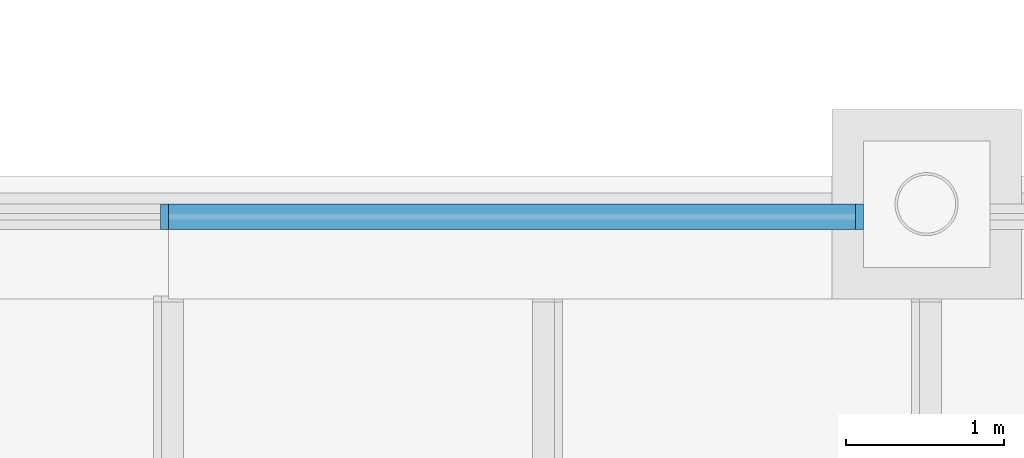
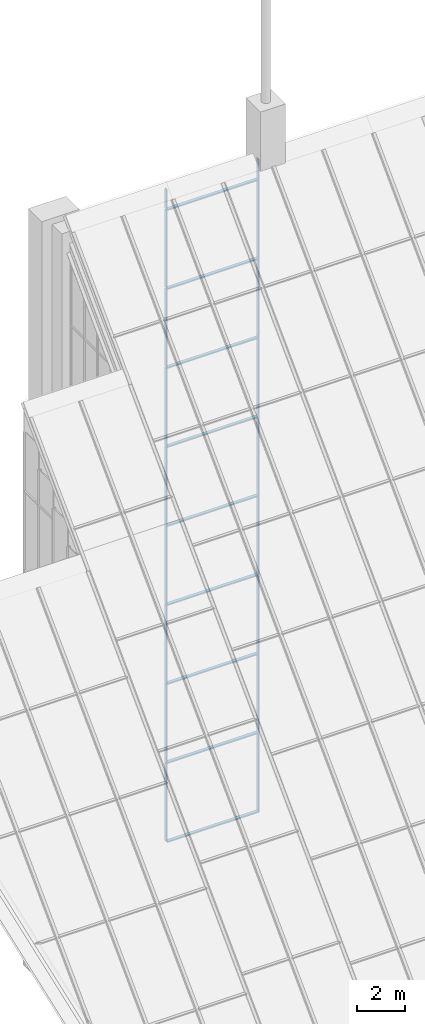
# One storey, part 10 of 25: 27 members, 18 elements without a shape of their own.
"""IFC4 building model written with IfcOpenShell, lengths in metres."""

import ifcopenshell
import ifcopenshell.guid

model = None  # the IFC model being written
_history = None  # IfcOwnerHistory: only IFC2X3 demands one
_inside = {}  # id of a spatial element -> (the spatial element, [elements in it])
_under = {}  # id of a project, library or spatial element -> (it, [spatial elements below it])
_declared = {}  # id of a project -> (the project, [libraries it declares])
_typed = {}  # id of a type object -> (the type object, [elements of that type])
_made_of = {}  # id of a material, layer set ... -> (it, [elements and type objects made of it])


def new_model(schema):
    """Start an empty IFC model of exactly this schema.

    Asked for "IFC4X3", IfcOpenShell would pick the latest addendum, in which some entities
    have other attributes; the version numbers below select the first issue.
    IFC2X3 requires an IfcOwnerHistory on every rooted entity: one is made here for all.
    """
    global model, _history
    if schema == "IFC4X3":
        model = ifcopenshell.file(schema_version=(4, 3, 0, 0))
    else:
        model = ifcopenshell.file(schema=schema)
    _inside.clear()
    _under.clear()
    _declared.clear()
    _typed.clear()
    _made_of.clear()
    _history = None
    if model.schema == "IFC2X3":
        org = make("IfcOrganization", Name="unknown")
        user = make(
            "IfcPersonAndOrganization",
            ThePerson=make("IfcPerson", FamilyName="unknown"),
            TheOrganization=org,
        )
        app = make(
            "IfcApplication",
            ApplicationDeveloper=org,
            Version="unknown",
            ApplicationFullName="unknown",
            ApplicationIdentifier="unknown",
        )
        _history = make(
            "IfcOwnerHistory",
            OwningUser=user,
            OwningApplication=app,
            ChangeAction="ADDED",
            CreationDate=0,
        )
    return model


def make(cls, **values):
    """One entity of the class cls with the attributes given. An attribute that is None is left unset."""
    return model.create_entity(
        cls, **{name: value for name, value in values.items() if value is not None}
    )


def rooted(cls, **values):
    """An entity with a GlobalId (a new one), such as an element, a storey or a relation."""
    return make(cls, GlobalId=ifcopenshell.guid.new(), OwnerHistory=_history, **values)


def si_unit(unit_type, name, prefix=None):
    """IfcSIUnit, for example si_unit("LENGTHUNIT", "METRE", prefix="MILLI")."""
    return make("IfcSIUnit", UnitType=unit_type, Prefix=prefix, Name=name)


def assignment(units):
    """IfcUnitAssignment: the units of a project."""
    return None if units is None else make("IfcUnitAssignment", Units=units)


def point(xyz):
    """IfcCartesianPoint."""
    return None if xyz is None else make("IfcCartesianPoint", Coordinates=xyz)


def direction(xyz):
    """IfcDirection."""
    return None if xyz is None else make("IfcDirection", DirectionRatios=xyz)


def frame(location, z_axis=None, x_axis=None):
    """IfcAxis2Placement3D, a coordinate frame: its origin and axes. An axis left out is left unset."""
    return make(
        "IfcAxis2Placement3D",
        Location=point(location),
        Axis=direction(z_axis),
        RefDirection=direction(x_axis),
    )


def frame_2d(location, x_axis=None):
    """IfcAxis2Placement2D, a coordinate frame in the plane: its origin and x axis."""
    return make(
        "IfcAxis2Placement2D", Location=point(location), RefDirection=direction(x_axis)
    )


def origin():
    """The frame at (0, 0, 0) with its axes left unset."""
    return frame((0.0, 0.0, 0.0))


def origin_2d():
    """The frame at (0, 0) in the plane with its x axis left unset."""
    return frame_2d((0.0, 0.0))


def place(relative_to, where):
    """IfcLocalPlacement: puts the frame where relative to a parent placement (None: the world)."""
    return make(
        "IfcLocalPlacement", PlacementRelTo=relative_to, RelativePlacement=where
    )


def context(
    kind, dimensions, precision=None, world=None, true_north=None, identifier=None
):
    """IfcGeometricRepresentationContext, for example the 3D "Model" context."""
    return make(
        "IfcGeometricRepresentationContext",
        ContextIdentifier=identifier,
        ContextType=kind,
        CoordinateSpaceDimension=dimensions,
        Precision=precision,
        WorldCoordinateSystem=world,
        TrueNorth=true_north,
    )


def subcontext(parent, identifier, kind, view, scale=None):
    """IfcGeometricRepresentationSubContext, for example "Body" below "Model"."""
    return make(
        "IfcGeometricRepresentationSubContext",
        ContextIdentifier=identifier,
        ContextType=kind,
        ParentContext=parent,
        TargetScale=scale,
        TargetView=view,
    )


def project(units=None, contexts=None):
    """IfcProject with its units and contexts."""
    return rooted(
        "IfcProject",
        Name="project",
        RepresentationContexts=contexts,
        UnitsInContext=assignment(units),
    )


def spatial(cls, under=None, at=None, **own):
    """A site, building, storey or space (cls), placed at a placement, below another one or the project."""
    s = rooted(cls, ObjectPlacement=at, **own)
    if under is not None:
        _under.setdefault(under.id(), (under, []))[1].append(s)
    return s


def profile(cls, at=None, kind="AREA", **sizes):
    """A parametric profile (cls). Its sizes go by their IFC names, for example OverallWidth=200.0."""
    return make(cls, ProfileType=kind, Position=at, **sizes)


def rectangle(**sizes):
    """IfcRectangleProfileDef."""
    return profile("IfcRectangleProfileDef", **sizes)


def extrude(swept, where, along, depth):
    """IfcExtrudedAreaSolid: the profile swept, set in the frame where, extruded along a direction by depth."""
    return make(
        "IfcExtrudedAreaSolid",
        SweptArea=swept,
        Position=where,
        ExtrudedDirection=direction(along),
        Depth=depth,
    )


def shape(context_of_items, identifier, shape_type, items):
    """IfcShapeRepresentation: the items that make up one representation, for example the "Body"."""
    return make(
        "IfcShapeRepresentation",
        ContextOfItems=context_of_items,
        RepresentationIdentifier=identifier,
        RepresentationType=shape_type,
        Items=items,
    )


def material(Name=None, Category=None):
    """IfcMaterial."""
    return make("IfcMaterial", Name=Name, Category=Category)


def material_profile(
    of_material, cross_section, Name=None, Category=None, Priority=None
):
    """IfcMaterialProfile: a cross section and its material."""
    return make(
        "IfcMaterialProfile",
        Name=Name,
        Material=of_material,
        Profile=cross_section,
        Priority=Priority,
        Category=Category,
    )


def profile_set(profiles, Name=None, composite=None):
    """IfcMaterialProfileSet."""
    return make(
        "IfcMaterialProfileSet",
        Name=Name,
        MaterialProfiles=profiles,
        CompositeProfile=composite,
    )


def made_of(thing, what):
    """Note that an element or type object is made of a material, layer set ...; save() writes the relation."""
    if what is not None:
        _made_of.setdefault(what.id(), (what, []))[1].append(thing)
    return thing


def type_object(cls, material=None, **own):
    """A type object (cls), such as IfcWallType, which elements share."""
    return made_of(rooted(cls, **own), material)


def element(
    cls,
    number,
    at=None,
    inside=None,
    cuts=None,
    type_object=None,
    material=None,
    context=None,
    identifier="Body",
    shape_type=None,
    held_by="IfcProductDefinitionShape",
    body=None,
    shapes=None,
    **own,
):
    """One element of the class cls, such as IfcWall. Its Tag is "e" and its number.

    at: its placement. inside: the storey or other place that contains it. cuts: it is an
    opening in that element (IfcRelVoidsElement). A single representation is given by context,
    identifier, shape_type and body (its items); several are given by shapes. held_by: the class
    of the entity that holds the representations. save() writes the other relations.
    """
    e = rooted(cls, Tag="e%d" % number, ObjectPlacement=at, **own)
    if body is not None:
        shapes = [shape(context, identifier, shape_type, body)]
    if shapes is not None:
        e.Representation = make(held_by, Representations=shapes)
    if inside is not None:
        _inside.setdefault(inside.id(), (inside, []))[1].append(e)
    if cuts is not None:
        rooted(
            "IfcRelVoidsElement", RelatingBuildingElement=cuts, RelatedOpeningElement=e
        )
    if type_object is not None:
        _typed.setdefault(type_object.id(), (type_object, []))[1].append(e)
    return made_of(e, material)


def aggregate(whole, parts):
    """IfcRelAggregates: a whole, such as a stair, and the parts it consists of."""
    return rooted("IfcRelAggregates", RelatingObject=whole, RelatedObjects=parts)


def save(model, path):
    """Write the relations noted so far, then the file.

    IfcRelAggregates (storeys below a building ...), IfcRelContainedInSpatialStructure (elements
    in a storey), IfcRelDefinesByType, IfcRelAssociatesMaterial and IfcRelDeclares: one each for
    every whole, place, type object, material and project.
    """
    for whole, parts in _under.values():
        aggregate(whole, parts)
    for where, things in _inside.values():
        rooted(
            "IfcRelContainedInSpatialStructure",
            RelatedElements=things,
            RelatingStructure=where,
        )
    for kind, things in _typed.values():
        rooted("IfcRelDefinesByType", RelatedObjects=things, RelatingType=kind)
    for what, things in _made_of.values():
        rooted("IfcRelAssociatesMaterial", RelatedObjects=things, RelatingMaterial=what)
    for by, libraries in _declared.values():
        rooted("IfcRelDeclares", RelatingContext=by, RelatedDefinitions=libraries)
    model.write(path)


model = new_model("IFC4")

# Units and contexts
model_context = context("Model", 3, precision=1e-05, world=origin(), true_north=direction((0.0, 1.0)))
body_context = subcontext(model_context, "Body", "Model", "MODEL_VIEW")
ifc_project = project(units=[si_unit("LENGTHUNIT", "METRE"), si_unit("AREAUNIT", "SQUARE_METRE"), si_unit("VOLUMEUNIT", "CUBIC_METRE"), si_unit("PLANEANGLEUNIT", "RADIAN"), si_unit("MASSUNIT", "GRAM", prefix="KILO")], contexts=[model_context])

# Site, building, storey
site_placement = place(None, origin())
site = spatial("IfcSite", under=ifc_project, at=site_placement, CompositionType="ELEMENT")
building_placement = place(site_placement, origin())
building = spatial("IfcBuilding", under=site, at=building_placement, Name="Baori Bourse Tower", CompositionType="ELEMENT")
storey_placement = place(building_placement, frame((0.0, 0.0, 378.300048828125)))
storey = spatial("IfcBuildingStorey", under=building, at=storey_placement, Name="Roof", CompositionType="ELEMENT", Elevation=378.300048828125)

# Curtain wall, member
ifc_material_1 = material(Name="Pale anodised aluminium", Category="aluminium")
curtain_wall_type = type_object("IfcCurtainWallType", Name="CW3 Curtain wall", PredefinedType="NOTDEFINED", material=ifc_material_1)
curtain_wall_1_placement = place(storey_placement, origin())
curtain_wall_1 = element("IfcCurtainWall", 1, at=curtain_wall_1_placement, inside=storey, type_object=curtain_wall_type, Name="Curtain wall CW3 Roof 83", PredefinedType="NOTDEFINED")
ifc_material_2 = material(Name="Pale anodised aluminium", Category="aluminium")
ifc_material_profile_1 = material_profile(ifc_material_2, rectangle(XDim=0.159912109375, YDim=0.050048828125, at=origin_2d()), Name="Mullion 50x160")
ifc_profile_set_1 = profile_set([ifc_material_profile_1], Name="Pale anodised aluminium")
member_type_1 = type_object("IfcMemberType", Name="CW3 Curtain wall mullion", PredefinedType="MULLION", material=ifc_profile_set_1)
member_1_placement = place(storey_placement, frame((28.375, 47.919921875, -0.18994140625), z_axis=(0.0, 0.0, 1.0), x_axis=(0.0, -1.0, 0.0)))
member_1 = element("IfcMember", 2, at=member_1_placement, type_object=member_type_1, Name="Curtain wall CW3 mullion", PredefinedType="MULLION", context=body_context, shape_type="SweptSolid", body=[
    extrude(rectangle(XDim=0.159912109375, YDim=0.050048828125, at=origin_2d()), origin(), (0.0, 0.0, 1.0), 3.93994140625),
])

curtain_wall_2_placement = place(storey_placement, origin())
curtain_wall_2 = element("IfcCurtainWall", 3, at=curtain_wall_2_placement, inside=storey, type_object=curtain_wall_type, Name="Curtain wall CW3 Roof 84", PredefinedType="NOTDEFINED")
member_2_placement = place(storey_placement, frame((28.375, 47.919921875, 3.81005859375), z_axis=(0.0, 0.0, 1.0), x_axis=(0.0, -1.0, 0.0)))
member_2 = element("IfcMember", 4, at=member_2_placement, type_object=member_type_1, Name="Curtain wall CW3 mullion", PredefinedType="MULLION", context=body_context, shape_type="SweptSolid", body=[
    extrude(rectangle(XDim=0.159912109375, YDim=0.050048828125, at=origin_2d()), origin(), (0.0, 0.0, 1.0), 3.93994140625),
])

curtain_wall_3_placement = place(storey_placement, origin())
curtain_wall_3 = element("IfcCurtainWall", 5, at=curtain_wall_3_placement, inside=storey, type_object=curtain_wall_type, Name="Curtain wall CW3 Roof 85", PredefinedType="NOTDEFINED")
member_3_placement = place(storey_placement, frame((28.375, 47.919921875, 7.81005859375), z_axis=(0.0, 0.0, 1.0), x_axis=(0.0, -1.0, 0.0)))
member_3 = element("IfcMember", 6, at=member_3_placement, type_object=member_type_1, Name="Curtain wall CW3 mullion", PredefinedType="MULLION", context=body_context, shape_type="SweptSolid", body=[
    extrude(rectangle(XDim=0.159912109375, YDim=0.050048828125, at=origin_2d()), origin(), (0.0, 0.0, 1.0), 3.93994140625),
])

curtain_wall_4_placement = place(storey_placement, origin())
curtain_wall_4 = element("IfcCurtainWall", 7, at=curtain_wall_4_placement, inside=storey, type_object=curtain_wall_type, Name="Curtain wall CW3 Roof 86", PredefinedType="NOTDEFINED")
member_4_placement = place(storey_placement, frame((28.375, 47.919921875, 11.81005859375), z_axis=(0.0, 0.0, 1.0), x_axis=(0.0, -1.0, 0.0)))
member_4 = element("IfcMember", 8, at=member_4_placement, type_object=member_type_1, Name="Curtain wall CW3 mullion", PredefinedType="MULLION", context=body_context, shape_type="SweptSolid", body=[
    extrude(rectangle(XDim=0.159912109375, YDim=0.050048828125, at=origin_2d()), origin(), (0.0, 0.0, 1.0), 3.93994140625),
])

curtain_wall_5_placement = place(storey_placement, origin())
curtain_wall_5 = element("IfcCurtainWall", 9, at=curtain_wall_5_placement, inside=storey, type_object=curtain_wall_type, Name="Curtain wall CW3 Roof 87", PredefinedType="NOTDEFINED")
member_5_placement = place(storey_placement, frame((28.375, 47.919921875, 15.81005859375), z_axis=(0.0, 0.0, 1.0), x_axis=(0.0, -1.0, 0.0)))
member_5 = element("IfcMember", 10, at=member_5_placement, type_object=member_type_1, Name="Curtain wall CW3 mullion", PredefinedType="MULLION", context=body_context, shape_type="SweptSolid", body=[
    extrude(rectangle(XDim=0.159912109375, YDim=0.050048828125, at=origin_2d()), origin(), (0.0, 0.0, 1.0), 3.93994140625),
])

curtain_wall_6_placement = place(storey_placement, origin())
curtain_wall_6 = element("IfcCurtainWall", 11, at=curtain_wall_6_placement, inside=storey, type_object=curtain_wall_type, Name="Curtain wall CW3 Roof 88", PredefinedType="NOTDEFINED")
member_6_placement = place(storey_placement, frame((28.375, 47.919921875, 19.81005859375), z_axis=(0.0, 0.0, 1.0), x_axis=(0.0, -1.0, 0.0)))
member_6 = element("IfcMember", 12, at=member_6_placement, type_object=member_type_1, Name="Curtain wall CW3 mullion", PredefinedType="MULLION", context=body_context, shape_type="SweptSolid", body=[
    extrude(rectangle(XDim=0.159912109375, YDim=0.050048828125, at=origin_2d()), origin(), (0.0, 0.0, 1.0), 3.93994140625),
])

curtain_wall_7_placement = place(storey_placement, origin())
curtain_wall_7 = element("IfcCurtainWall", 13, at=curtain_wall_7_placement, inside=storey, type_object=curtain_wall_type, Name="Curtain wall CW3 Roof 89", PredefinedType="NOTDEFINED")
member_7_placement = place(storey_placement, frame((28.375, 47.919921875, 23.81005859375), z_axis=(0.0, 0.0, 1.0), x_axis=(0.0, -1.0, 0.0)))
member_7 = element("IfcMember", 14, at=member_7_placement, type_object=member_type_1, Name="Curtain wall CW3 mullion", PredefinedType="MULLION", context=body_context, shape_type="SweptSolid", body=[
    extrude(rectangle(XDim=0.159912109375, YDim=0.050048828125, at=origin_2d()), origin(), (0.0, 0.0, 1.0), 3.93994140625),
])

curtain_wall_8_placement = place(storey_placement, origin())
curtain_wall_8 = element("IfcCurtainWall", 15, at=curtain_wall_8_placement, inside=storey, type_object=curtain_wall_type, Name="Curtain wall CW3 Roof 90", PredefinedType="NOTDEFINED")
member_8_placement = place(storey_placement, frame((28.375, 47.919921875, 27.81005859375), z_axis=(0.0, 0.0, 1.0), x_axis=(0.0, -1.0, 0.0)))
member_8 = element("IfcMember", 16, at=member_8_placement, type_object=member_type_1, Name="Curtain wall CW3 mullion", PredefinedType="MULLION", context=body_context, shape_type="SweptSolid", body=[
    extrude(rectangle(XDim=0.159912109375, YDim=0.050048828125, at=origin_2d()), origin(), (0.0, 0.0, 1.0), 3.93994140625),
])

curtain_wall_9_placement = place(storey_placement, origin())
curtain_wall_9 = element("IfcCurtainWall", 17, at=curtain_wall_9_placement, inside=storey, type_object=curtain_wall_type, Name="Curtain wall CW3 Roof 91", PredefinedType="NOTDEFINED")
member_9_placement = place(storey_placement, frame((28.375, 47.919921875, 31.81005859375), z_axis=(0.0, 0.0, 1.0), x_axis=(0.0, -1.0, 0.0)))
member_9 = element("IfcMember", 18, at=member_9_placement, type_object=member_type_1, Name="Curtain wall CW3 mullion", PredefinedType="MULLION", context=body_context, shape_type="SweptSolid", body=[
    extrude(rectangle(XDim=0.159912109375, YDim=0.050048828125, at=origin_2d()), origin(), (0.0, 0.0, 1.0), 1.019775390625),
])

curtain_wall_10_placement = place(storey_placement, origin())
curtain_wall_10 = element("IfcCurtainWall", 19, at=curtain_wall_10_placement, inside=storey, type_object=curtain_wall_type, Name="Curtain wall CW3 Roof 92", PredefinedType="NOTDEFINED")
member_10_placement = place(storey_placement, frame((23.97509765625, 47.919921875, -0.18994140625), z_axis=(0.0, 0.0, 1.0), x_axis=(0.0, -1.0, 0.0)))
member_10 = element("IfcMember", 20, at=member_10_placement, type_object=member_type_1, Name="Curtain wall CW3 mullion", PredefinedType="MULLION", context=body_context, shape_type="SweptSolid", body=[
    extrude(rectangle(XDim=0.159912109375, YDim=0.050048828125, at=origin_2d()), origin(), (0.0, 0.0, 1.0), 3.93994140625),
])
aggregate(curtain_wall_10, [member_10])

curtain_wall_11_placement = place(storey_placement, origin())
curtain_wall_11 = element("IfcCurtainWall", 21, at=curtain_wall_11_placement, inside=storey, type_object=curtain_wall_type, Name="Curtain wall CW3 Roof 93", PredefinedType="NOTDEFINED")
member_11_placement = place(storey_placement, frame((23.97509765625, 47.919921875, 3.81005859375), z_axis=(0.0, 0.0, 1.0), x_axis=(0.0, -1.0, 0.0)))
member_11 = element("IfcMember", 22, at=member_11_placement, type_object=member_type_1, Name="Curtain wall CW3 mullion", PredefinedType="MULLION", context=body_context, shape_type="SweptSolid", body=[
    extrude(rectangle(XDim=0.159912109375, YDim=0.050048828125, at=origin_2d()), origin(), (0.0, 0.0, 1.0), 3.93994140625),
])
aggregate(curtain_wall_11, [member_11])

curtain_wall_12_placement = place(storey_placement, origin())
curtain_wall_12 = element("IfcCurtainWall", 23, at=curtain_wall_12_placement, inside=storey, type_object=curtain_wall_type, Name="Curtain wall CW3 Roof 94", PredefinedType="NOTDEFINED")
member_12_placement = place(storey_placement, frame((23.97509765625, 47.919921875, 7.81005859375), z_axis=(0.0, 0.0, 1.0), x_axis=(0.0, -1.0, 0.0)))
member_12 = element("IfcMember", 24, at=member_12_placement, type_object=member_type_1, Name="Curtain wall CW3 mullion", PredefinedType="MULLION", context=body_context, shape_type="SweptSolid", body=[
    extrude(rectangle(XDim=0.159912109375, YDim=0.050048828125, at=origin_2d()), origin(), (0.0, 0.0, 1.0), 3.93994140625),
])
aggregate(curtain_wall_12, [member_12])

curtain_wall_13_placement = place(storey_placement, origin())
curtain_wall_13 = element("IfcCurtainWall", 25, at=curtain_wall_13_placement, inside=storey, type_object=curtain_wall_type, Name="Curtain wall CW3 Roof 95", PredefinedType="NOTDEFINED")
member_13_placement = place(storey_placement, frame((23.97509765625, 47.919921875, 11.81005859375), z_axis=(0.0, 0.0, 1.0), x_axis=(0.0, -1.0, 0.0)))
member_13 = element("IfcMember", 26, at=member_13_placement, type_object=member_type_1, Name="Curtain wall CW3 mullion", PredefinedType="MULLION", context=body_context, shape_type="SweptSolid", body=[
    extrude(rectangle(XDim=0.159912109375, YDim=0.050048828125, at=origin_2d()), origin(), (0.0, 0.0, 1.0), 3.93994140625),
])
aggregate(curtain_wall_13, [member_13])

curtain_wall_14_placement = place(storey_placement, origin())
curtain_wall_14 = element("IfcCurtainWall", 27, at=curtain_wall_14_placement, inside=storey, type_object=curtain_wall_type, Name="Curtain wall CW3 Roof 96", PredefinedType="NOTDEFINED")
member_14_placement = place(storey_placement, frame((23.97509765625, 47.919921875, 15.81005859375), z_axis=(0.0, 0.0, 1.0), x_axis=(0.0, -1.0, 0.0)))
member_14 = element("IfcMember", 28, at=member_14_placement, type_object=member_type_1, Name="Curtain wall CW3 mullion", PredefinedType="MULLION", context=body_context, shape_type="SweptSolid", body=[
    extrude(rectangle(XDim=0.159912109375, YDim=0.050048828125, at=origin_2d()), origin(), (0.0, 0.0, 1.0), 3.93994140625),
])
aggregate(curtain_wall_14, [member_14])

curtain_wall_15_placement = place(storey_placement, origin())
curtain_wall_15 = element("IfcCurtainWall", 29, at=curtain_wall_15_placement, inside=storey, type_object=curtain_wall_type, Name="Curtain wall CW3 Roof 97", PredefinedType="NOTDEFINED")
member_15_placement = place(storey_placement, frame((23.97509765625, 47.919921875, 19.81005859375), z_axis=(0.0, 0.0, 1.0), x_axis=(0.0, -1.0, 0.0)))
member_15 = element("IfcMember", 30, at=member_15_placement, type_object=member_type_1, Name="Curtain wall CW3 mullion", PredefinedType="MULLION", context=body_context, shape_type="SweptSolid", body=[
    extrude(rectangle(XDim=0.159912109375, YDim=0.050048828125, at=origin_2d()), origin(), (0.0, 0.0, 1.0), 3.93994140625),
])
aggregate(curtain_wall_15, [member_15])

curtain_wall_16_placement = place(storey_placement, origin())
curtain_wall_16 = element("IfcCurtainWall", 31, at=curtain_wall_16_placement, inside=storey, type_object=curtain_wall_type, Name="Curtain wall CW3 Roof 98", PredefinedType="NOTDEFINED")
member_16_placement = place(storey_placement, frame((23.97509765625, 47.919921875, 23.81005859375), z_axis=(0.0, 0.0, 1.0), x_axis=(0.0, -1.0, 0.0)))
member_16 = element("IfcMember", 32, at=member_16_placement, type_object=member_type_1, Name="Curtain wall CW3 mullion", PredefinedType="MULLION", context=body_context, shape_type="SweptSolid", body=[
    extrude(rectangle(XDim=0.159912109375, YDim=0.050048828125, at=origin_2d()), origin(), (0.0, 0.0, 1.0), 3.93994140625),
])
aggregate(curtain_wall_16, [member_16])

curtain_wall_17_placement = place(storey_placement, origin())
curtain_wall_17 = element("IfcCurtainWall", 33, at=curtain_wall_17_placement, inside=storey, type_object=curtain_wall_type, Name="Curtain wall CW3 Roof 99", PredefinedType="NOTDEFINED")
member_17_placement = place(storey_placement, frame((23.97509765625, 47.919921875, 27.81005859375), z_axis=(0.0, 0.0, 1.0), x_axis=(0.0, -1.0, 0.0)))
member_17 = element("IfcMember", 34, at=member_17_placement, type_object=member_type_1, Name="Curtain wall CW3 mullion", PredefinedType="MULLION", context=body_context, shape_type="SweptSolid", body=[
    extrude(rectangle(XDim=0.159912109375, YDim=0.050048828125, at=origin_2d()), origin(), (0.0, 0.0, 1.0), 3.93994140625),
])
aggregate(curtain_wall_17, [member_17])

curtain_wall_18_placement = place(storey_placement, origin())
curtain_wall_18 = element("IfcCurtainWall", 35, at=curtain_wall_18_placement, inside=storey, type_object=curtain_wall_type, Name="Curtain wall CW3 Roof 100", PredefinedType="NOTDEFINED")
member_18_placement = place(storey_placement, frame((23.97509765625, 47.919921875, 31.81005859375), z_axis=(0.0, 0.0, 1.0), x_axis=(0.0, -1.0, 0.0)))
member_18 = element("IfcMember", 36, at=member_18_placement, type_object=member_type_1, Name="Curtain wall CW3 mullion", PredefinedType="MULLION", context=body_context, shape_type="SweptSolid", body=[
    extrude(rectangle(XDim=0.159912109375, YDim=0.050048828125, at=origin_2d()), origin(), (0.0, 0.0, 1.0), 1.019775390625),
])
aggregate(curtain_wall_18, [member_18])

# Member
ifc_material_3 = material(Name="Pale anodised aluminium", Category="aluminium")
ifc_material_profile_2 = material_profile(ifc_material_3, rectangle(XDim=0.159912109375, YDim=0.06005859375, at=origin_2d()), Name="Transom 60x160")
ifc_profile_set_2 = profile_set([ifc_material_profile_2], Name="Pale anodised aluminium")
member_type_2 = type_object("IfcMemberType", Name="CW3 Curtain wall transom", PredefinedType="USERDEFINED", material=ifc_profile_set_2)
member_19_placement = place(storey_placement, frame((28.39990234375, 47.919921875, -0.219970703125), z_axis=(-1.0, 0.0, 0.0), x_axis=(0.0, -1.0, 0.0)))
member_19 = element("IfcMember", 37, at=member_19_placement, type_object=member_type_2, Name="Curtain wall CW3 sill rail", ObjectType="TRANSOM", PredefinedType="USERDEFINED", context=body_context, shape_type="SweptSolid", body=[
    extrude(rectangle(XDim=0.159912109375, YDim=0.06005859375, at=origin_2d()), origin(), (0.0, 0.0, 1.0), 4.39990234375),
])

aggregate(curtain_wall_1, [member_19, member_1])

member_20_placement = place(storey_placement, frame((28.39990234375, 47.919921875, 3.780029296875), z_axis=(-1.0, 0.0, 0.0), x_axis=(0.0, -1.0, 0.0)))
member_20 = element("IfcMember", 38, at=member_20_placement, type_object=member_type_2, Name="Curtain wall CW3 sill rail", ObjectType="TRANSOM", PredefinedType="USERDEFINED", context=body_context, shape_type="SweptSolid", body=[
    extrude(rectangle(XDim=0.159912109375, YDim=0.06005859375, at=origin_2d()), origin(), (0.0, 0.0, 1.0), 4.39990234375),
])

aggregate(curtain_wall_2, [member_20, member_2])

member_21_placement = place(storey_placement, frame((28.39990234375, 47.919921875, 7.780029296875), z_axis=(-1.0, 0.0, 0.0), x_axis=(0.0, -1.0, 0.0)))
member_21 = element("IfcMember", 39, at=member_21_placement, type_object=member_type_2, Name="Curtain wall CW3 sill rail", ObjectType="TRANSOM", PredefinedType="USERDEFINED", context=body_context, shape_type="SweptSolid", body=[
    extrude(rectangle(XDim=0.159912109375, YDim=0.06005859375, at=origin_2d()), origin(), (0.0, 0.0, 1.0), 4.39990234375),
])

aggregate(curtain_wall_3, [member_21, member_3])

member_22_placement = place(storey_placement, frame((28.39990234375, 47.919921875, 11.780029296875), z_axis=(-1.0, 0.0, 0.0), x_axis=(0.0, -1.0, 0.0)))
member_22 = element("IfcMember", 40, at=member_22_placement, type_object=member_type_2, Name="Curtain wall CW3 sill rail", ObjectType="TRANSOM", PredefinedType="USERDEFINED", context=body_context, shape_type="SweptSolid", body=[
    extrude(rectangle(XDim=0.159912109375, YDim=0.06005859375, at=origin_2d()), origin(), (0.0, 0.0, 1.0), 4.39990234375),
])

aggregate(curtain_wall_4, [member_22, member_4])

member_23_placement = place(storey_placement, frame((28.39990234375, 47.919921875, 15.780029296875), z_axis=(-1.0, 0.0, 0.0), x_axis=(0.0, -1.0, 0.0)))
member_23 = element("IfcMember", 41, at=member_23_placement, type_object=member_type_2, Name="Curtain wall CW3 sill rail", ObjectType="TRANSOM", PredefinedType="USERDEFINED", context=body_context, shape_type="SweptSolid", body=[
    extrude(rectangle(XDim=0.159912109375, YDim=0.06005859375, at=origin_2d()), origin(), (0.0, 0.0, 1.0), 4.39990234375),
])

aggregate(curtain_wall_5, [member_23, member_5])

member_24_placement = place(storey_placement, frame((28.39990234375, 47.919921875, 19.780029296875), z_axis=(-1.0, 0.0, 0.0), x_axis=(0.0, -1.0, 0.0)))
member_24 = element("IfcMember", 42, at=member_24_placement, type_object=member_type_2, Name="Curtain wall CW3 sill rail", ObjectType="TRANSOM", PredefinedType="USERDEFINED", context=body_context, shape_type="SweptSolid", body=[
    extrude(rectangle(XDim=0.159912109375, YDim=0.06005859375, at=origin_2d()), origin(), (0.0, 0.0, 1.0), 4.39990234375),
])

aggregate(curtain_wall_6, [member_24, member_6])

member_25_placement = place(storey_placement, frame((28.39990234375, 47.919921875, 23.780029296875), z_axis=(-1.0, 0.0, 0.0), x_axis=(0.0, -1.0, 0.0)))
member_25 = element("IfcMember", 43, at=member_25_placement, type_object=member_type_2, Name="Curtain wall CW3 sill rail", ObjectType="TRANSOM", PredefinedType="USERDEFINED", context=body_context, shape_type="SweptSolid", body=[
    extrude(rectangle(XDim=0.159912109375, YDim=0.06005859375, at=origin_2d()), origin(), (0.0, 0.0, 1.0), 4.39990234375),
])

aggregate(curtain_wall_7, [member_25, member_7])

member_26_placement = place(storey_placement, frame((28.39990234375, 47.919921875, 27.780029296875), z_axis=(-1.0, 0.0, 0.0), x_axis=(0.0, -1.0, 0.0)))
member_26 = element("IfcMember", 44, at=member_26_placement, type_object=member_type_2, Name="Curtain wall CW3 sill rail", ObjectType="TRANSOM", PredefinedType="USERDEFINED", context=body_context, shape_type="SweptSolid", body=[
    extrude(rectangle(XDim=0.159912109375, YDim=0.06005859375, at=origin_2d()), origin(), (0.0, 0.0, 1.0), 4.39990234375),
])

aggregate(curtain_wall_8, [member_26, member_8])

member_27_placement = place(storey_placement, frame((28.39990234375, 47.919921875, 31.780029296875), z_axis=(-1.0, 0.0, 0.0), x_axis=(0.0, -1.0, 0.0)))
member_27 = element("IfcMember", 45, at=member_27_placement, type_object=member_type_2, Name="Curtain wall CW3 sill rail", ObjectType="TRANSOM", PredefinedType="USERDEFINED", context=body_context, shape_type="SweptSolid", body=[
    extrude(rectangle(XDim=0.159912109375, YDim=0.06005859375, at=origin_2d()), origin(), (0.0, 0.0, 1.0), 4.39990234375),
])

aggregate(curtain_wall_9, [member_27, member_9])

save(model, "model.ifc")
